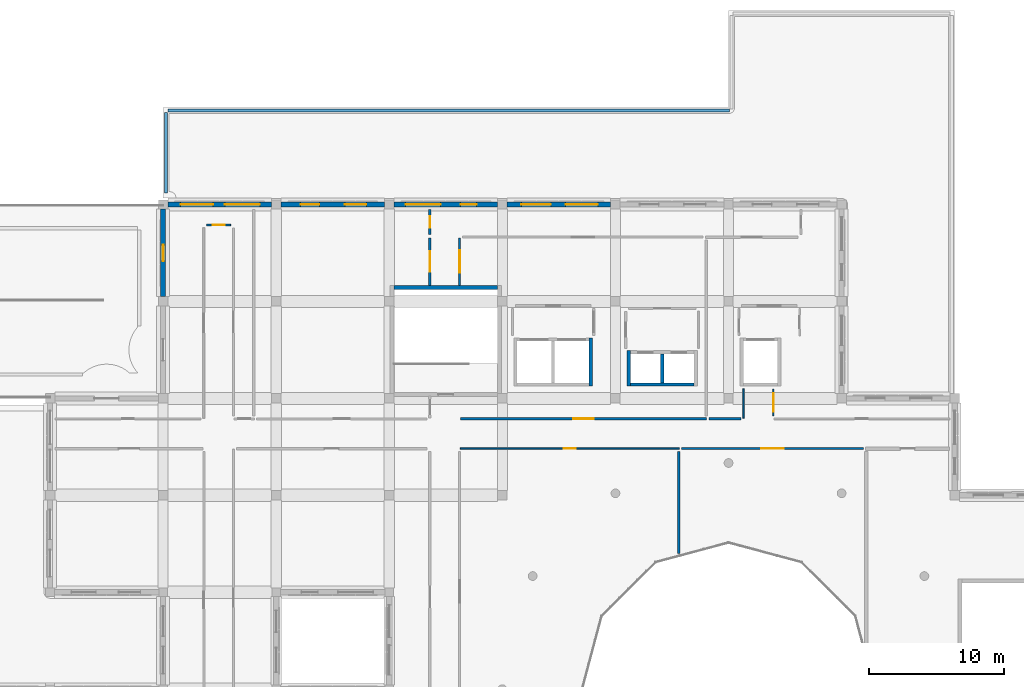
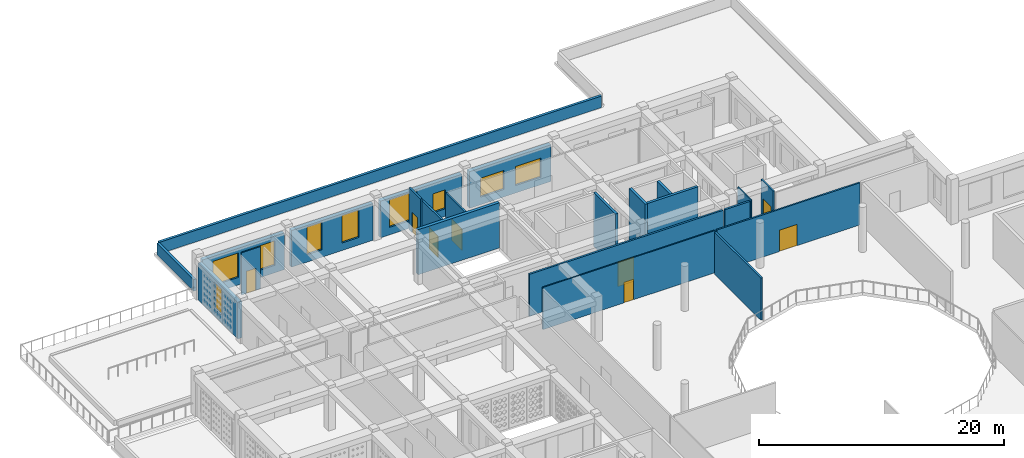
# One storey, part 13 of 47: 23 walls, 9 windows, 8 doors, 17 openings.
"""IFC4 building model written with IfcOpenShell, lengths in metres."""

from ifc_helpers import new_model, si_unit, derived_unit, direction, frame, frame_2d, origin, place, context, subcontext, project, spatial, rectangle, extrude, material, layer, layer_set, type_object, element, fill, save


model = new_model("IFC4")

# Units and contexts
model_context = context("Model", 3, precision=1e-05, world=origin(), true_north=direction((0.0, 1.0)))
body_context = subcontext(model_context, "Body", "Model", "MODEL_VIEW")
ifc_project = project(units=[si_unit("LENGTHUNIT", "METRE"), si_unit("AREAUNIT", "SQUARE_METRE"), si_unit("VOLUMEUNIT", "CUBIC_METRE"), si_unit("PLANEANGLEUNIT", "RADIAN"), si_unit("MASSUNIT", "GRAM", prefix="KILO"), derived_unit("THERMALTRANSMITTANCEUNIT", [(si_unit("POWERUNIT", "WATT"), 1), (si_unit("LENGTHUNIT", "METRE"), -2), (si_unit("THERMODYNAMICTEMPERATUREUNIT", "KELVIN"), -1)])], contexts=[model_context])

# Site, building, storey
site_placement = place(None, origin())
site = spatial("IfcSite", under=ifc_project, at=site_placement, CompositionType="ELEMENT")
building_placement = place(site_placement, origin())
building = spatial("IfcBuilding", under=site, at=building_placement, Name="Veybourne Emporium", CompositionType="ELEMENT")
storey_placement = place(building_placement, frame((0.0, 0.0, 23.39990234375)))
storey = spatial("IfcBuildingStorey", under=building, at=storey_placement, Name="L05", CompositionType="ELEMENT", Elevation=23.39990234375)

# Wall, openings, windows
ifc_material_1 = material(Name="Portland Limestone Ashlar", Category="masonry")
ifc_layer_1 = layer(ifc_material_1, 0.3798828125)
ifc_layer_set_1 = layer_set([ifc_layer_1], Name="Portland Limestone Ashlar")
wall_type_1 = type_object("IfcWallType", Name="ExtWall_EW-03", PredefinedType="SOLIDWALL", material=ifc_layer_set_1)
wall_1_placement = place(storey_placement, frame((33.949951171875, 86.39990234375, 0.0), z_axis=(0.0, 0.0, 1.0), x_axis=(1.0, 0.0, 0.0)))
wall_1 = element("IfcWall", 1, at=wall_1_placement, inside=storey, type_object=wall_type_1, Name="L05 Portland stone external wall 024", PredefinedType="SOLIDWALL", context=body_context, shape_type="SweptSolid", body=[
    extrude(rectangle(XDim=7.699951171875, YDim=0.3798828125, at=frame_2d((3.85009765625, 0.0))), origin(), (0.0, 0.0, 1.0), 3.66015625),
])
opening_1_placement = place(wall_1_placement, frame((0.9560546875, 0.0, 0.75)))
opening_1 = element("IfcOpeningElement", 2, at=opening_1_placement, cuts=wall_1, Name="Opening W-31", PredefinedType="OPENING", context=body_context, shape_type="SweptSolid", body=[
    extrude(rectangle(XDim=2.39990234375, YDim=2.43994140625, at=frame_2d((1.199951171875, 1.219970703125))), frame((0.0, 0.2099609375, 0.0), z_axis=(0.0, -1.0, 0.0), x_axis=(1.0, 0.0, 0.0)), (0.0, 0.0, 1.0), 0.419921875),
])
opening_2_placement = place(wall_1_placement, frame((4.243896484375, 0.0, 0.75)))
opening_2 = element("IfcOpeningElement", 3, at=opening_2_placement, cuts=wall_1, Name="Opening W-32", PredefinedType="OPENING", context=body_context, shape_type="SweptSolid", body=[
    extrude(rectangle(XDim=2.60009765625, YDim=2.43994140625, at=frame_2d((1.300048828125, 1.219970703125))), frame((0.0, 0.2099609375, 0.0), z_axis=(0.0, -1.0, 0.0), x_axis=(1.0, 0.0, 0.0)), (0.0, 0.0, 1.0), 0.419921875),
])
ifc_material_2 = material(Name="Low-E Triple Glazing", Category="glass")
window_type_1 = type_object("IfcWindowType", Name="Win_W-31", PartitioningType="TRIPLE_PANEL_VERTICAL", PredefinedType="WINDOW", material=ifc_material_2)
window_1_placement = place(opening_1_placement, origin())
window_1 = element("IfcWindow", 4, at=window_1_placement, inside=storey, type_object=window_type_1, Name="L05 tripartite bronze casement window W-31 (24.1)", OverallHeight=2.43994140625, OverallWidth=2.39990234375, PartitioningType="TRIPLE_PANEL_VERTICAL", PredefinedType="WINDOW", context=body_context, shape_type="SweptSolid", body=[
    extrude(rectangle(XDim=2.39990234375, YDim=2.43994140625, at=frame_2d((1.199951171875, 1.219970703125))), frame((0.0, 0.030029296875, 0.0), z_axis=(0.0, -1.0, 0.0), x_axis=(1.0, 0.0, 0.0)), (0.0, 0.0, 1.0), 0.06005859375),
])
fill(opening_1, window_1)
window_type_2 = type_object("IfcWindowType", Name="Win_W-32", PartitioningType="TRIPLE_PANEL_VERTICAL", PredefinedType="WINDOW", material=ifc_material_2)
window_2_placement = place(opening_2_placement, origin())
window_2 = element("IfcWindow", 5, at=window_2_placement, inside=storey, type_object=window_type_2, Name="L05 tripartite bronze casement window W-32 (24.2)", OverallHeight=2.43994140625, OverallWidth=2.60009765625, PartitioningType="TRIPLE_PANEL_VERTICAL", PredefinedType="WINDOW", context=body_context, shape_type="SweptSolid", body=[
    extrude(rectangle(XDim=2.60009765625, YDim=2.43994140625, at=frame_2d((1.300048828125, 1.219970703125))), frame((0.0, 0.030029296875, 0.0), z_axis=(0.0, -1.0, 0.0), x_axis=(1.0, 0.0, 0.0)), (0.0, 0.0, 1.0), 0.06005859375),
])
fill(opening_2, window_2)

# Wall, opening, window
wall_2_placement = place(storey_placement, frame((33.60009765625, 79.550048828125, 0.0), z_axis=(0.0, 0.0, 1.0), x_axis=(0.0, 1.0, 0.0)))
wall_2 = element("IfcWall", 6, at=wall_2_placement, inside=storey, type_object=wall_type_1, Name="L05 terrace facade wall 025", PredefinedType="SOLIDWALL", context=body_context, shape_type="SweptSolid", body=[
    extrude(rectangle(XDim=6.5, YDim=0.3798828125, at=frame_2d((3.25, 0.0))), origin(), (0.0, 0.0, 1.0), 3.66015625),
])
opening_3_placement = place(wall_2_placement, frame((2.64990234375, 0.0, 0.75)))
opening_3 = element("IfcOpeningElement", 7, at=opening_3_placement, cuts=wall_2, Name="Opening W-33", PredefinedType="OPENING", context=body_context, shape_type="SweptSolid", body=[
    extrude(rectangle(XDim=1.199951171875, YDim=2.6201171875, at=frame_2d((0.60009765625, 1.31005859375))), frame((0.0, 0.2099609375, 0.0), z_axis=(0.0, -1.0, 0.0), x_axis=(1.0, 0.0, 0.0)), (0.0, 0.0, 1.0), 0.419921875),
])
window_type_3 = type_object("IfcWindowType", Name="Win_W-33", PartitioningType="SINGLE_PANEL", PredefinedType="WINDOW", material=ifc_material_2)
window_3_placement = place(opening_3_placement, origin())
window_3 = element("IfcWindow", 8, at=window_3_placement, inside=storey, type_object=window_type_3, Name="L05 terrace window 025", OverallHeight=2.6201171875, OverallWidth=1.199951171875, PartitioningType="SINGLE_PANEL", PredefinedType="WINDOW", context=body_context, shape_type="SweptSolid", body=[
    extrude(rectangle(XDim=1.199951171875, YDim=2.6201171875, at=frame_2d((0.60009765625, 1.31005859375))), frame((0.0, 0.030029296875, 0.0), z_axis=(0.0, -1.0, 0.0), x_axis=(1.0, 0.0, 0.0)), (0.0, 0.0, 1.0), 0.06005859375),
])
fill(opening_3, window_3)

# Wall, openings, windows
wall_3_placement = place(storey_placement, frame((42.35009765625, 86.39990234375, 0.0), z_axis=(0.0, 0.0, 1.0), x_axis=(1.0, 0.0, 0.0)))
wall_3 = element("IfcWall", 9, at=wall_3_placement, inside=storey, type_object=wall_type_1, Name="L05 Portland stone external wall 034", PredefinedType="SOLIDWALL", context=body_context, shape_type="SweptSolid", body=[
    extrude(rectangle(XDim=7.699951171875, YDim=0.3798828125, at=frame_2d((3.85009765625, 0.0))), origin(), (0.0, 0.0, 1.0), 3.66015625),
])
opening_4_placement = place(wall_3_placement, frame((1.4560546875, 0.0, 0.75)))
opening_4 = element("IfcOpeningElement", 10, at=opening_4_placement, cuts=wall_3, Name="Opening W-50", PredefinedType="OPENING", context=body_context, shape_type="SweptSolid", body=[
    extrude(rectangle(XDim=1.39990234375, YDim=2.760009765625, at=frame_2d((0.699951171875, 1.3798828125))), frame((0.0, 0.2099609375, 0.0), z_axis=(0.0, -1.0, 0.0), x_axis=(1.0, 0.0, 0.0)), (0.0, 0.0, 1.0), 0.419921875),
])
opening_5_placement = place(wall_3_placement, frame((4.743896484375, 0.0, 0.75)))
opening_5 = element("IfcOpeningElement", 11, at=opening_5_placement, cuts=wall_3, Name="Opening W-51", PredefinedType="OPENING", context=body_context, shape_type="SweptSolid", body=[
    extrude(rectangle(XDim=1.60009765625, YDim=2.760009765625, at=frame_2d((0.800048828125, 1.3798828125))), frame((0.0, 0.2099609375, 0.0), z_axis=(0.0, -1.0, 0.0), x_axis=(1.0, 0.0, 0.0)), (0.0, 0.0, 1.0), 0.419921875),
])
window_type_4 = type_object("IfcWindowType", Name="Win_W-50", PartitioningType="DOUBLE_PANEL_VERTICAL", PredefinedType="WINDOW", material=ifc_material_2)
window_4_placement = place(opening_4_placement, origin())
window_4 = element("IfcWindow", 12, at=window_4_placement, inside=storey, type_object=window_type_4, Name="L05 tripartite bronze casement window W-50 (34.1)", OverallHeight=2.760009765625, OverallWidth=1.39990234375, PartitioningType="DOUBLE_PANEL_VERTICAL", PredefinedType="WINDOW", context=body_context, shape_type="SweptSolid", body=[
    extrude(rectangle(XDim=1.39990234375, YDim=2.760009765625, at=frame_2d((0.699951171875, 1.3798828125))), frame((0.0, 0.030029296875, 0.0), z_axis=(0.0, -1.0, 0.0), x_axis=(1.0, 0.0, 0.0)), (0.0, 0.0, 1.0), 0.06005859375),
])
fill(opening_4, window_4)
window_type_5 = type_object("IfcWindowType", Name="Win_W-51", PartitioningType="DOUBLE_PANEL_VERTICAL", PredefinedType="WINDOW", material=ifc_material_2)
window_5_placement = place(opening_5_placement, origin())
window_5 = element("IfcWindow", 13, at=window_5_placement, inside=storey, type_object=window_type_5, Name="L05 tripartite bronze casement window W-51 (34.2)", OverallHeight=2.760009765625, OverallWidth=1.60009765625, PartitioningType="DOUBLE_PANEL_VERTICAL", PredefinedType="WINDOW", context=body_context, shape_type="SweptSolid", body=[
    extrude(rectangle(XDim=1.60009765625, YDim=2.760009765625, at=frame_2d((0.800048828125, 1.3798828125))), frame((0.0, 0.030029296875, 0.0), z_axis=(0.0, -1.0, 0.0), x_axis=(1.0, 0.0, 0.0)), (0.0, 0.0, 1.0), 0.06005859375),
])
fill(opening_5, window_5)

wall_4_placement = place(storey_placement, frame((50.75, 86.39990234375, 0.0), z_axis=(0.0, 0.0, 1.0), x_axis=(1.0, 0.0, 0.0)))
wall_4 = element("IfcWall", 14, at=wall_4_placement, inside=storey, type_object=wall_type_1, Name="L05 Portland stone external wall 037", PredefinedType="SOLIDWALL", context=body_context, shape_type="SweptSolid", body=[
    extrude(rectangle(XDim=7.699951171875, YDim=0.3798828125, at=frame_2d((3.85009765625, 0.0))), origin(), (0.0, 0.0, 1.0), 3.66015625),
])
opening_6_placement = place(wall_4_placement, frame((0.85595703125, 0.0, 0.75)))
opening_6 = element("IfcOpeningElement", 15, at=opening_6_placement, cuts=wall_4, Name="Opening W-56", PredefinedType="OPENING", context=body_context, shape_type="SweptSolid", body=[
    extrude(rectangle(XDim=2.60009765625, YDim=2.760009765625, at=frame_2d((1.300048828125, 1.3798828125))), frame((0.0, 0.2099609375, 0.0), z_axis=(0.0, -1.0, 0.0), x_axis=(1.0, 0.0, 0.0)), (0.0, 0.0, 1.0), 0.419921875),
])
opening_7_placement = place(wall_4_placement, frame((4.944091796875, 0.0, 0.75)))
opening_7 = element("IfcOpeningElement", 16, at=opening_7_placement, cuts=wall_4, Name="Opening W-01", PredefinedType="OPENING", context=body_context, shape_type="SweptSolid", body=[
    extrude(rectangle(XDim=1.199951171875, YDim=1.89990234375, at=frame_2d((0.60009765625, 0.949951171875))), frame((0.0, 0.2099609375, 0.0), z_axis=(0.0, -1.0, 0.0), x_axis=(1.0, 0.0, 0.0)), (0.0, 0.0, 1.0), 0.419921875),
])
window_type_6 = type_object("IfcWindowType", Name="Win_W-01", PartitioningType="SINGLE_PANEL", PredefinedType="WINDOW", material=ifc_material_2)
window_6_placement = place(opening_7_placement, origin())
window_6 = element("IfcWindow", 17, at=window_6_placement, inside=storey, type_object=window_type_6, Name="L05 tripartite bronze casement window W-01 (37.2)", OverallHeight=1.89990234375, OverallWidth=1.199951171875, PartitioningType="SINGLE_PANEL", PredefinedType="WINDOW", context=body_context, shape_type="SweptSolid", body=[
    extrude(rectangle(XDim=1.199951171875, YDim=1.89990234375, at=frame_2d((0.60009765625, 0.949951171875))), frame((0.0, 0.030029296875, 0.0), z_axis=(0.0, -1.0, 0.0), x_axis=(1.0, 0.0, 0.0)), (0.0, 0.0, 1.0), 0.06005859375),
])
fill(opening_7, window_6)
window_type_7 = type_object("IfcWindowType", Name="Win_W-56", PartitioningType="TRIPLE_PANEL_VERTICAL", PredefinedType="WINDOW", material=ifc_material_2)
window_7_placement = place(opening_6_placement, origin())
window_7 = element("IfcWindow", 18, at=window_7_placement, inside=storey, type_object=window_type_7, Name="L05 tripartite bronze casement window W-56 (37.1)", OverallHeight=2.760009765625, OverallWidth=2.60009765625, PartitioningType="TRIPLE_PANEL_VERTICAL", PredefinedType="WINDOW", context=body_context, shape_type="SweptSolid", body=[
    extrude(rectangle(XDim=2.60009765625, YDim=2.760009765625, at=frame_2d((1.300048828125, 1.3798828125))), frame((0.0, 0.030029296875, 0.0), z_axis=(0.0, -1.0, 0.0), x_axis=(1.0, 0.0, 0.0)), (0.0, 0.0, 1.0), 0.06005859375),
])
fill(opening_6, window_7)

wall_5_placement = place(storey_placement, frame((59.14990234375, 86.39990234375, 0.0), z_axis=(0.0, 0.0, 1.0), x_axis=(1.0, 0.0, 0.0)))
wall_5 = element("IfcWall", 19, at=wall_5_placement, inside=storey, type_object=wall_type_1, Name="L05 Portland stone external wall 040", PredefinedType="SOLIDWALL", context=body_context, shape_type="SweptSolid", body=[
    extrude(rectangle(XDim=7.7001953125, YDim=0.3798828125, at=frame_2d((3.85009765625, 0.0))), origin(), (0.0, 0.0, 1.0), 3.66015625),
])
opening_8_placement = place(wall_5_placement, frame((1.055908203125, 0.0, 0.75)))
opening_8 = element("IfcOpeningElement", 20, at=opening_8_placement, cuts=wall_5, Name="Opening W-06", PredefinedType="OPENING", context=body_context, shape_type="SweptSolid", body=[
    extrude(rectangle(XDim=2.199951171875, YDim=1.89990234375, at=frame_2d((1.10009765625, 0.949951171875))), frame((0.0, 0.2099609375, 0.0), z_axis=(0.0, -1.0, 0.0), x_axis=(1.0, 0.0, 0.0)), (0.0, 0.0, 1.0), 0.419921875),
])
opening_9_placement = place(wall_5_placement, frame((4.343994140625, 0.0, 0.75)))
opening_9 = element("IfcOpeningElement", 21, at=opening_9_placement, cuts=wall_5, Name="Opening W-07", PredefinedType="OPENING", context=body_context, shape_type="SweptSolid", body=[
    extrude(rectangle(XDim=2.39990234375, YDim=1.89990234375, at=frame_2d((1.199951171875, 0.949951171875))), frame((0.0, 0.2099609375, 0.0), z_axis=(0.0, -1.0, 0.0), x_axis=(1.0, 0.0, 0.0)), (0.0, 0.0, 1.0), 0.419921875),
])
window_type_8 = type_object("IfcWindowType", Name="Win_W-06", PartitioningType="TRIPLE_PANEL_VERTICAL", PredefinedType="WINDOW", material=ifc_material_2)
window_8_placement = place(opening_8_placement, origin())
window_8 = element("IfcWindow", 22, at=window_8_placement, inside=storey, type_object=window_type_8, Name="L05 tripartite bronze casement window W-06 (40.1)", OverallHeight=1.89990234375, OverallWidth=2.199951171875, PartitioningType="TRIPLE_PANEL_VERTICAL", PredefinedType="WINDOW", context=body_context, shape_type="SweptSolid", body=[
    extrude(rectangle(XDim=2.199951171875, YDim=1.89990234375, at=frame_2d((1.10009765625, 0.949951171875))), frame((0.0, 0.030029296875, 0.0), z_axis=(0.0, -1.0, 0.0), x_axis=(1.0, 0.0, 0.0)), (0.0, 0.0, 1.0), 0.06005859375),
])
fill(opening_8, window_8)
window_type_9 = type_object("IfcWindowType", Name="Win_W-07", PartitioningType="TRIPLE_PANEL_VERTICAL", PredefinedType="WINDOW", material=ifc_material_2)
window_9_placement = place(opening_9_placement, origin())
window_9 = element("IfcWindow", 23, at=window_9_placement, inside=storey, type_object=window_type_9, Name="L05 tripartite bronze casement window W-07 (40.2)", OverallHeight=1.89990234375, OverallWidth=2.39990234375, PartitioningType="TRIPLE_PANEL_VERTICAL", PredefinedType="WINDOW", context=body_context, shape_type="SweptSolid", body=[
    extrude(rectangle(XDim=2.39990234375, YDim=1.89990234375, at=frame_2d((1.199951171875, 0.949951171875))), frame((0.0, 0.030029296875, 0.0), z_axis=(0.0, -1.0, 0.0), x_axis=(1.0, 0.0, 0.0)), (0.0, 0.0, 1.0), 0.06005859375),
])
fill(opening_9, window_9)

# Walls
ifc_material_3 = material(Name="Precast concrete C40/50", Category="concrete")
ifc_layer_2 = layer(ifc_material_3, 0.239990234375)
ifc_layer_set_2 = layer_set([ifc_layer_2], Name="Precast concrete C40/50")
wall_type_2 = type_object("IfcWallType", Name="ExtWall_PW-02", PredefinedType="PARAPET", material=ifc_layer_set_2)
wall_6_placement = place(storey_placement, frame((33.820068359375, 87.25, 0.0), z_axis=(0.0, 0.0, 1.0), x_axis=(0.0, 1.0, 0.0)))
element("IfcWall", 24, at=wall_6_placement, inside=storey, type_object=wall_type_2, Name="L05 roof parapet wall 005", PredefinedType="PARAPET", context=body_context, shape_type="SweptSolid", body=[
    extrude(rectangle(XDim=6.0, YDim=0.239990234375, at=frame_2d((3.0, 0.0))), origin(), (0.0, 0.0, 1.0), 1.150146484375),
])
wall_7_placement = place(storey_placement, frame((33.949951171875, 93.3798828125, 0.0), z_axis=(0.0, 0.0, 1.0), x_axis=(1.0, 0.0, 0.0)))
element("IfcWall", 25, at=wall_7_placement, inside=storey, type_object=wall_type_2, Name="L05 roof parapet wall 006", PredefinedType="PARAPET", context=body_context, shape_type="SweptSolid", body=[
    extrude(rectangle(XDim=41.739990234375, YDim=0.239990234375, at=frame_2d((20.8701171875, 0.0))), origin(), (0.0, 0.0, 1.0), 1.150146484375),
])
ifc_material_4 = material(Name="Concrete C40/50", Category="concrete")
ifc_layer_3 = layer(ifc_material_4, 0.300048828125)
ifc_layer_set_3 = layer_set([ifc_layer_3], Name="Concrete C40/50")
wall_type_3 = type_object("IfcWallType", Name="IntWall_CW-03", PredefinedType="SHEAR", material=ifc_layer_set_3)
wall_8_placement = place(storey_placement, frame((50.75, 80.25, 0.0), z_axis=(0.0, 0.0, 1.0), x_axis=(1.0, 0.0, 0.0)))
element("IfcWall", 26, at=wall_8_placement, inside=storey, type_object=wall_type_3, Name="Core stair ST-03 north shear wall (L05)", PredefinedType="SHEAR", context=body_context, shape_type="SweptSolid", body=[
    extrude(rectangle(XDim=7.699951171875, YDim=0.300048828125, at=frame_2d((3.85009765625, 0.0))), origin(), (0.0, 0.0, 1.0), 4.5),
])
ifc_layer_4 = layer(ifc_material_4, 0.239990234375)
ifc_layer_set_4 = layer_set([ifc_layer_4], Name="Concrete C40/50")
wall_type_4 = type_object("IfcWallType", Name="IntWall_CW-04", PredefinedType="SHEAR", material=ifc_layer_set_4)
wall_9_placement = place(storey_placement, frame((68.300048828125, 73.030029296875, 0.0), z_axis=(0.0, 0.0, 1.0), x_axis=(1.0, 0.0, 0.0)))
element("IfcWall", 27, at=wall_9_placement, inside=storey, type_object=wall_type_4, Name="Lift core C4P south shaft wall (L05)", PredefinedType="SHEAR", context=body_context, shape_type="SweptSolid", body=[
    extrude(rectangle(XDim=4.739990234375, YDim=0.239990234375, at=frame_2d((2.3701171875, 0.0))), origin(), (0.0, 0.0, 1.0), 5.35009765625),
])
wall_10_placement = place(storey_placement, frame((68.179931640625, 75.5400390625, 0.0), z_axis=(0.0, 0.0, 1.0), x_axis=(0.0, -1.0, 0.0)))
element("IfcWall", 28, at=wall_10_placement, inside=storey, type_object=wall_type_4, Name="Lift core C4P west shaft wall (L05)", PredefinedType="SHEAR", context=body_context, shape_type="SweptSolid", body=[
    extrude(rectangle(XDim=2.630126953125, YDim=0.239990234375, at=frame_2d((1.31494140625, 0.0))), origin(), (0.0, 0.0, 1.0), 5.35009765625),
])
wall_11_placement = place(storey_placement, frame((70.669921875, 73.14990234375, 0.0), z_axis=(0.0, 0.0, 1.0), x_axis=(0.0, 1.0, 0.0)))
element("IfcWall", 29, at=wall_11_placement, inside=storey, type_object=wall_type_4, Name="Lift core C4P divider wall 1 (L05)", PredefinedType="SHEAR", context=body_context, shape_type="SweptSolid", body=[
    extrude(rectangle(XDim=2.150146484375, YDim=0.239990234375, at=frame_2d((1.0751953125, 0.0))), origin(), (0.0, 0.0, 1.0), 5.35009765625),
])
wall_12_placement = place(storey_placement, frame((65.360107421875, 72.909912109375, 0.0), z_axis=(0.0, 0.0, 1.0), x_axis=(0.0, 1.0, 0.0)))
element("IfcWall", 30, at=wall_12_placement, inside=storey, type_object=wall_type_4, Name="Lift core C4G east shaft wall (L05)", PredefinedType="SHEAR", context=body_context, shape_type="SweptSolid", body=[
    extrude(rectangle(XDim=3.580078125, YDim=0.239990234375, at=frame_2d((1.7900390625, 0.0))), origin(), (0.0, 0.0, 1.0), 5.35009765625),
])

# Wall, opening, door
ifc_material_5 = material(Name="Gypsum Acoustic Board", Category="gypsum")
ifc_layer_5 = layer(ifc_material_5, 0.179931640625)
ifc_layer_set_5 = layer_set([ifc_layer_5], Name="Gypsum Acoustic Board")
wall_type_5 = type_object("IfcWallType", Name="IntWall_IW-01", PredefinedType="PARTITIONING", material=ifc_layer_set_5)
wall_13_placement = place(storey_placement, frame((55.679931640625, 70.47998046875, 0.0), z_axis=(0.0, 0.0, 1.0), x_axis=(1.0, 0.0, 0.0)))
wall_13 = element("IfcWall", 31, at=wall_13_placement, inside=storey, type_object=wall_type_5, Name="L05 interior partition IW-01 #009", PredefinedType="PARTITIONING", context=body_context, shape_type="SweptSolid", body=[
    extrude(rectangle(XDim=18.300048828125, YDim=0.179931640625, at=frame_2d((9.14990234375, 0.0))), origin(), (0.0, 0.0, 1.0), 4.210205078125),
])
opening_10_placement = place(wall_13_placement, frame((8.389892578125, 0.0, 0.0)))
opening_10 = element("IfcOpeningElement", 32, at=opening_10_placement, cuts=wall_13, Name="Opening D-35", PredefinedType="OPENING", context=body_context, shape_type="SweptSolid", body=[
    extrude(rectangle(XDim=1.52001953125, YDim=2.449951171875, at=frame_2d((0.760009765625, 1.22509765625))), frame((0.0, 0.10986328125, 0.0), z_axis=(0.0, -1.0, 0.0), x_axis=(1.0, 0.0, 0.0)), (0.0, 0.0, 1.0), 0.219970703125),
])
ifc_material_6 = material(Name="European Oak Veneer and Bronze", Category="wood")
door_type_1 = type_object("IfcDoorType", Name="IntDoor_D-35", OperationType="NOTDEFINED", PredefinedType="DOOR", material=ifc_material_6)
door_1_placement = place(opening_10_placement, origin())
door_1 = element("IfcDoor", 33, at=door_1_placement, inside=storey, type_object=door_type_1, Name="L05 interior door D-35 (PART-L05-009)", OperationType="SINGLE_SWING_RIGHT", OverallHeight=2.449951171875, OverallWidth=1.52001953125, PredefinedType="DOOR", context=body_context, shape_type="SweptSolid", body=[
    extrude(rectangle(XDim=1.52001953125, YDim=2.449951171875, at=frame_2d((0.760009765625, 1.22509765625))), frame((0.0, 0.02490234375, 0.0), z_axis=(0.0, -1.0, 0.0), x_axis=(1.0, 0.0, 0.0)), (0.0, 0.0, 1.0), 0.050048828125),
])
fill(opening_10, door_1)

wall_14_placement = place(storey_placement, frame((53.419921875, 80.389892578125, 0.0), z_axis=(0.0, 0.0, 1.0), x_axis=(0.0, 1.0, 0.0)))
wall_14 = element("IfcWall", 34, at=wall_14_placement, inside=storey, type_object=wall_type_5, Name="L05 interior partition IW-01 #057", PredefinedType="PARTITIONING", context=body_context, shape_type="SweptSolid", body=[
    extrude(rectangle(XDim=3.530029296875, YDim=0.179931640625, at=frame_2d((1.76513671875, 0.0))), origin(), (0.0, 0.0, 1.0), 4.210205078125),
])
opening_11_placement = place(wall_14_placement, frame((1.0048828125, 0.0, 0.0)))
opening_11 = element("IfcOpeningElement", 35, at=opening_11_placement, cuts=wall_14, Name="Opening D-11", PredefinedType="OPENING", context=body_context, shape_type="SweptSolid", body=[
    extrude(rectangle(XDim=1.52001953125, YDim=2.1298828125, at=frame_2d((0.760009765625, 1.06494140625))), frame((0.0, 0.10986328125, 0.0), z_axis=(0.0, -1.0, 0.0), x_axis=(1.0, 0.0, 0.0)), (0.0, 0.0, 1.0), 0.219970703125),
])
door_type_2 = type_object("IfcDoorType", Name="IntDoor_D-11", OperationType="NOTDEFINED", PredefinedType="DOOR", material=ifc_material_6)
door_2_placement = place(opening_11_placement, origin())
door_2 = element("IfcDoor", 36, at=door_2_placement, inside=storey, type_object=door_type_2, Name="L05 interior door D-11 (PART-L05-057)", OperationType="SINGLE_SWING_RIGHT", OverallHeight=2.1298828125, OverallWidth=1.52001953125, PredefinedType="DOOR", context=body_context, shape_type="SweptSolid", body=[
    extrude(rectangle(XDim=1.52001953125, YDim=2.1298828125, at=frame_2d((0.760009765625, 1.06494140625))), frame((0.0, 0.02490234375, 0.0), z_axis=(0.0, -1.0, 0.0), x_axis=(1.0, 0.0, 0.0)), (0.0, 0.0, 1.0), 0.050048828125),
])
fill(opening_11, door_2)

# Wall
wall_15_placement = place(storey_placement, frame((74.139892578125, 70.47998046875, 0.0), z_axis=(0.0, 0.0, 1.0), x_axis=(1.0, 0.0, 0.0)))
element("IfcWall", 37, at=wall_15_placement, inside=storey, type_object=wall_type_5, Name="L05 interior partition IW-01 #069", PredefinedType="PARTITIONING", context=body_context, shape_type="SweptSolid", body=[
    extrude(rectangle(XDim=2.3701171875, YDim=0.179931640625, at=frame_2d((1.18505859375, 0.0))), origin(), (0.0, 0.0, 1.0), 4.210205078125),
])

# Wall, opening, door
wall_16_placement = place(storey_placement, frame((53.419921875, 84.179931640625, 0.0), z_axis=(0.0, 0.0, 1.0), x_axis=(0.0, 1.0, 0.0)))
wall_16 = element("IfcWall", 38, at=wall_16_placement, inside=storey, type_object=wall_type_5, Name="L05 interior partition IW-01 #087", PredefinedType="PARTITIONING", context=body_context, shape_type="SweptSolid", body=[
    extrude(rectangle(XDim=1.840087890625, YDim=0.179931640625, at=frame_2d((0.919921875, 0.0))), origin(), (0.0, 0.0, 1.0), 4.210205078125),
])
opening_12_placement = place(wall_16_placement, frame((0.47998046875, 0.0, 0.0)))
opening_12 = element("IfcOpeningElement", 39, at=opening_12_placement, cuts=wall_16, Name="Opening D-01", PredefinedType="OPENING", context=body_context, shape_type="SweptSolid", body=[
    extrude(rectangle(XDim=0.8798828125, YDim=2.050048828125, at=frame_2d((0.43994140625, 1.02490234375))), frame((0.0, 0.10986328125, 0.0), z_axis=(0.0, -1.0, 0.0), x_axis=(1.0, 0.0, 0.0)), (0.0, 0.0, 1.0), 0.219970703125),
])
door_type_3 = type_object("IfcDoorType", Name="IntDoor_D-01", OperationType="NOTDEFINED", PredefinedType="DOOR", material=ifc_material_6)
door_3_placement = place(opening_12_placement, origin())
door_3 = element("IfcDoor", 40, at=door_3_placement, inside=storey, type_object=door_type_3, Name="L05 interior door D-01 (PART-L05-087)", OperationType="SINGLE_SWING_RIGHT", OverallHeight=2.050048828125, OverallWidth=0.8798828125, PredefinedType="DOOR", context=body_context, shape_type="SweptSolid", body=[
    extrude(rectangle(XDim=0.8798828125, YDim=2.050048828125, at=frame_2d((0.43994140625, 1.02490234375))), frame((0.0, 0.02490234375, 0.0), z_axis=(0.0, -1.0, 0.0), x_axis=(1.0, 0.0, 0.0)), (0.0, 0.0, 1.0), 0.050048828125),
])
fill(opening_12, door_3)

# Wall
wall_17_placement = place(storey_placement, frame((71.889892578125, 60.469970703125, 0.0), z_axis=(0.0, 0.0, 1.0), x_axis=(0.0, 1.0, 0.0)))
element("IfcWall", 41, at=wall_17_placement, inside=storey, type_object=wall_type_5, Name="L05 interior partition IW-01 #108", PredefinedType="PARTITIONING", context=body_context, shape_type="SweptSolid", body=[
    extrude(rectangle(XDim=7.590087890625, YDim=0.179931640625, at=frame_2d((3.794921875, 0.0))), origin(), (0.0, 0.0, 1.0), 4.210205078125),
])

# Wall, opening, door
ifc_layer_6 = layer(ifc_material_5, 0.14990234375)
ifc_layer_set_6 = layer_set([ifc_layer_6], Name="Gypsum Acoustic Board")
wall_type_6 = type_object("IfcWallType", Name="IntWall_IW-02", PredefinedType="PARTITIONING", material=ifc_layer_set_6)
wall_18_placement = place(storey_placement, frame((72.10009765625, 68.27001953125, 0.0), z_axis=(0.0, 0.0, 1.0), x_axis=(1.0, 0.0, 0.0)))
wall_18 = element("IfcWall", 42, at=wall_18_placement, inside=storey, type_object=wall_type_6, Name="L05 interior partition IW-02 #022", PredefinedType="PARTITIONING", context=body_context, shape_type="SweptSolid", body=[
    extrude(rectangle(XDim=13.52001953125, YDim=0.14990234375, at=frame_2d((6.760009765625, 0.0))), origin(), (0.0, 0.0, 1.0), 4.210205078125),
])
opening_13_placement = place(wall_18_placement, frame((5.919921875, 0.0, 0.0)))
opening_13 = element("IfcOpeningElement", 43, at=opening_13_placement, cuts=wall_18, Name="Opening D-12", PredefinedType="OPENING", context=body_context, shape_type="SweptSolid", body=[
    extrude(rectangle(XDim=1.679931640625, YDim=2.1298828125, at=frame_2d((0.83984375, 1.06494140625))), frame((0.0, 0.094970703125, 0.0), z_axis=(0.0, -1.0, 0.0), x_axis=(1.0, 0.0, 0.0)), (0.0, 0.0, 1.0), 0.18994140625),
])
door_type_4 = type_object("IfcDoorType", Name="IntDoor_D-12", OperationType="DOUBLE_DOOR_SINGLE_SWING", PredefinedType="DOOR", material=ifc_material_6)
door_4_placement = place(opening_13_placement, origin())
door_4 = element("IfcDoor", 44, at=door_4_placement, inside=storey, type_object=door_type_4, Name="L05 interior door D-12 (PART-L05-022)", OperationType="DOUBLE_DOOR_SINGLE_SWING", OverallHeight=2.1298828125, OverallWidth=1.679931640625, PredefinedType="DOOR", context=body_context, shape_type="SweptSolid", body=[
    extrude(rectangle(XDim=1.679931640625, YDim=2.1298828125, at=frame_2d((0.83984375, 1.06494140625))), frame((0.0, 0.02490234375, 0.0), z_axis=(0.0, -1.0, 0.0), x_axis=(1.0, 0.0, 0.0)), (0.0, 0.0, 1.0), 0.050048828125),
])
fill(opening_13, door_4)

wall_19_placement = place(storey_placement, frame((55.6298828125, 80.389892578125, 0.0), z_axis=(0.0, 0.0, 1.0), x_axis=(0.0, 1.0, 0.0)))
wall_19 = element("IfcWall", 45, at=wall_19_placement, inside=storey, type_object=wall_type_6, Name="L05 interior partition IW-02 #058", PredefinedType="PARTITIONING", context=body_context, shape_type="SweptSolid", body=[
    extrude(rectangle(XDim=3.530029296875, YDim=0.14990234375, at=frame_2d((1.76513671875, 0.0))), origin(), (0.0, 0.0, 1.0), 4.210205078125),
])
opening_14_placement = place(wall_19_placement, frame((0.925048828125, 0.0, 0.0)))
opening_14 = element("IfcOpeningElement", 46, at=opening_14_placement, cuts=wall_19, Name="Opening D-12", PredefinedType="OPENING", context=body_context, shape_type="SweptSolid", body=[
    extrude(rectangle(XDim=1.679931640625, YDim=2.1298828125, at=frame_2d((0.83984375, 1.06494140625))), frame((0.0, 0.094970703125, 0.0), z_axis=(0.0, -1.0, 0.0), x_axis=(1.0, 0.0, 0.0)), (0.0, 0.0, 1.0), 0.18994140625),
])
door_5_placement = place(opening_14_placement, origin())
door_5 = element("IfcDoor", 47, at=door_5_placement, inside=storey, type_object=door_type_4, Name="L05 interior door D-12 (PART-L05-058)", OperationType="DOUBLE_DOOR_SINGLE_SWING", OverallHeight=2.1298828125, OverallWidth=1.679931640625, PredefinedType="DOOR", context=body_context, shape_type="SweptSolid", body=[
    extrude(rectangle(XDim=1.679931640625, YDim=2.1298828125, at=frame_2d((0.83984375, 1.06494140625))), frame((0.0, 0.02490234375, 0.0), z_axis=(0.0, -1.0, 0.0), x_axis=(1.0, 0.0, 0.0)), (0.0, 0.0, 1.0), 0.050048828125),
])
fill(opening_14, door_5)

ifc_layer_7 = layer(ifc_material_5, 0.1201171875)
ifc_layer_set_7 = layer_set([ifc_layer_7], Name="Gypsum Acoustic Board")
wall_type_7 = type_object("IfcWallType", Name="IntWall_IW-03", PredefinedType="PARTITIONING", material=ifc_layer_set_7)
wall_20_placement = place(storey_placement, frame((55.679931640625, 68.27001953125, 0.0), z_axis=(0.0, 0.0, 1.0), x_axis=(1.0, 0.0, 0.0)))
wall_20 = element("IfcWall", 48, at=wall_20_placement, inside=storey, type_object=wall_type_7, Name="L05 interior partition IW-03 #011", PredefinedType="PARTITIONING", context=body_context, shape_type="SweptSolid", body=[
    extrude(rectangle(XDim=16.260009765625, YDim=0.1201171875, at=frame_2d((8.1298828125, 0.0))), origin(), (0.0, 0.0, 1.0), 4.210205078125),
])
opening_15_placement = place(wall_20_placement, frame((7.68994140625, 0.0, 0.0)))
opening_15 = element("IfcOpeningElement", 49, at=opening_15_placement, cuts=wall_20, Name="Opening D-01", PredefinedType="OPENING", context=body_context, shape_type="SweptSolid", body=[
    extrude(rectangle(XDim=0.8798828125, YDim=2.050048828125, at=frame_2d((0.43994140625, 1.02490234375))), frame((0.0, 0.080078125, 0.0), z_axis=(0.0, -1.0, 0.0), x_axis=(1.0, 0.0, 0.0)), (0.0, 0.0, 1.0), 0.16015625),
])
door_6_placement = place(opening_15_placement, origin())
door_6 = element("IfcDoor", 50, at=door_6_placement, inside=storey, type_object=door_type_3, Name="L05 interior door D-01 (PART-L05-011)", OperationType="SINGLE_SWING_LEFT", OverallHeight=2.050048828125, OverallWidth=0.8798828125, PredefinedType="DOOR", context=body_context, shape_type="SweptSolid", body=[
    extrude(rectangle(XDim=0.8798828125, YDim=2.050048828125, at=frame_2d((0.43994140625, 1.02490234375))), frame((0.0, 0.02490234375, 0.0), z_axis=(0.0, -1.0, 0.0), x_axis=(1.0, 0.0, 0.0)), (0.0, 0.0, 1.0), 0.050048828125),
])
fill(opening_15, door_6)

# Wall
wall_21_placement = place(storey_placement, frame((76.719970703125, 70.530029296875, 0.0), z_axis=(0.0, 0.0, 1.0), x_axis=(0.0, 1.0, 0.0)))
element("IfcWall", 51, at=wall_21_placement, inside=storey, type_object=wall_type_7, Name="L05 interior partition IW-03 #074", PredefinedType="PARTITIONING", context=body_context, shape_type="SweptSolid", body=[
    extrude(rectangle(XDim=2.169921875, YDim=0.1201171875, at=frame_2d((1.0849609375, 0.0))), origin(), (0.0, 0.0, 1.0), 4.210205078125),
])

# Wall, opening, door
wall_22_placement = place(storey_placement, frame((78.929931640625, 70.68994140625, 0.0), z_axis=(0.0, 0.0, 1.0), x_axis=(0.0, 1.0, 0.0)))
wall_22 = element("IfcWall", 52, at=wall_22_placement, inside=storey, type_object=wall_type_7, Name="L05 interior partition IW-03 #080", PredefinedType="PARTITIONING", context=body_context, shape_type="SweptSolid", body=[
    extrude(rectangle(XDim=2.010009765625, YDim=0.1201171875, at=frame_2d((1.0048828125, 0.0))), origin(), (0.0, 0.0, 1.0), 4.210205078125),
])
opening_16_placement = place(wall_22_placement, frame((0.324951171875, 0.0, 0.0)))
opening_16 = element("IfcOpeningElement", 53, at=opening_16_placement, cuts=wall_22, Name="Opening D-34", PredefinedType="OPENING", context=body_context, shape_type="SweptSolid", body=[
    extrude(rectangle(XDim=1.360107421875, YDim=2.449951171875, at=frame_2d((0.68017578125, 1.22509765625))), frame((0.0, 0.080078125, 0.0), z_axis=(0.0, -1.0, 0.0), x_axis=(1.0, 0.0, 0.0)), (0.0, 0.0, 1.0), 0.16015625),
])
door_type_5 = type_object("IfcDoorType", Name="IntDoor_D-34", OperationType="NOTDEFINED", PredefinedType="DOOR", material=ifc_material_6)
door_7_placement = place(opening_16_placement, origin())
door_7 = element("IfcDoor", 54, at=door_7_placement, inside=storey, type_object=door_type_5, Name="L05 interior door D-34 (PART-L05-080)", OperationType="SINGLE_SWING_RIGHT", OverallHeight=2.449951171875, OverallWidth=1.360107421875, PredefinedType="DOOR", context=body_context, shape_type="SweptSolid", body=[
    extrude(rectangle(XDim=1.360107421875, YDim=2.449951171875, at=frame_2d((0.68017578125, 1.22509765625))), frame((0.0, 0.02490234375, 0.0), z_axis=(0.0, -1.0, 0.0), x_axis=(1.0, 0.0, 0.0)), (0.0, 0.0, 1.0), 0.050048828125),
])
fill(opening_16, door_7)

wall_23_placement = place(storey_placement, frame((36.830078125, 84.8798828125, 0.0), z_axis=(0.0, 0.0, 1.0), x_axis=(1.0, 0.0, 0.0)))
wall_23 = element("IfcWall", 55, at=wall_23_placement, inside=storey, type_object=wall_type_7, Name="L05 interior partition IW-03 #095", PredefinedType="PARTITIONING", context=body_context, shape_type="SweptSolid", body=[
    extrude(rectangle(XDim=1.7900390625, YDim=0.1201171875, at=frame_2d((0.89501953125, 0.0))), origin(), (0.0, 0.0, 1.0), 4.210205078125),
])
opening_17_placement = place(wall_23_placement, frame((0.455078125, 0.0, 0.0)))
opening_17 = element("IfcOpeningElement", 56, at=opening_17_placement, cuts=wall_23, Name="Opening D-13", PredefinedType="OPENING", context=body_context, shape_type="SweptSolid", body=[
    extrude(rectangle(XDim=0.8798828125, YDim=2.2099609375, at=frame_2d((0.43994140625, 1.10498046875))), frame((0.0, 0.080078125, 0.0), z_axis=(0.0, -1.0, 0.0), x_axis=(1.0, 0.0, 0.0)), (0.0, 0.0, 1.0), 0.16015625),
])
door_type_6 = type_object("IfcDoorType", Name="IntDoor_D-13", OperationType="NOTDEFINED", PredefinedType="DOOR", material=ifc_material_6)
door_8_placement = place(opening_17_placement, origin())
door_8 = element("IfcDoor", 57, at=door_8_placement, inside=storey, type_object=door_type_6, Name="L05 interior door D-13 (PART-L05-095)", OperationType="SINGLE_SWING_LEFT", OverallHeight=2.2099609375, OverallWidth=0.8798828125, PredefinedType="DOOR", context=body_context, shape_type="SweptSolid", body=[
    extrude(rectangle(XDim=0.8798828125, YDim=2.2099609375, at=frame_2d((0.43994140625, 1.10498046875))), frame((0.0, 0.02490234375, 0.0), z_axis=(0.0, -1.0, 0.0), x_axis=(1.0, 0.0, 0.0)), (0.0, 0.0, 1.0), 0.050048828125),
])
fill(opening_17, door_8)

save(model, "model.ifc")
